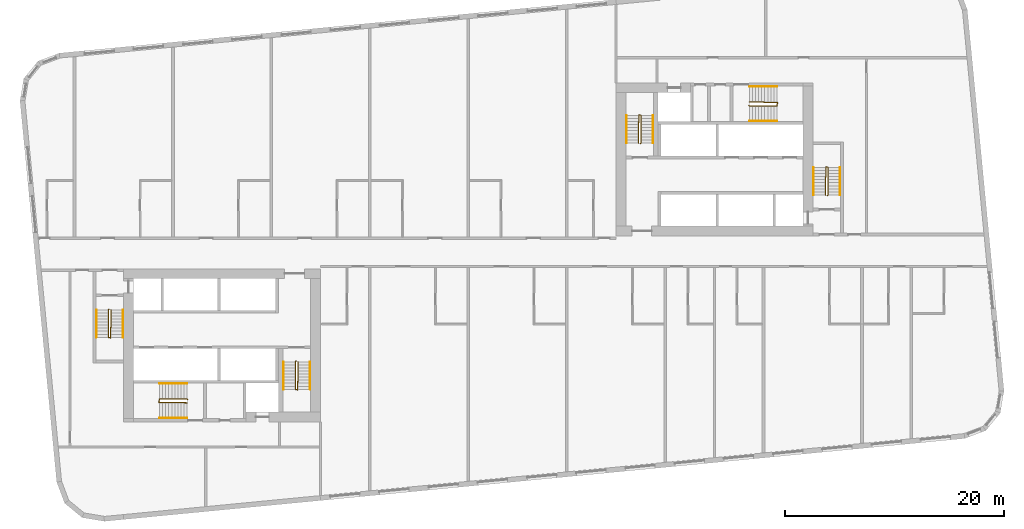
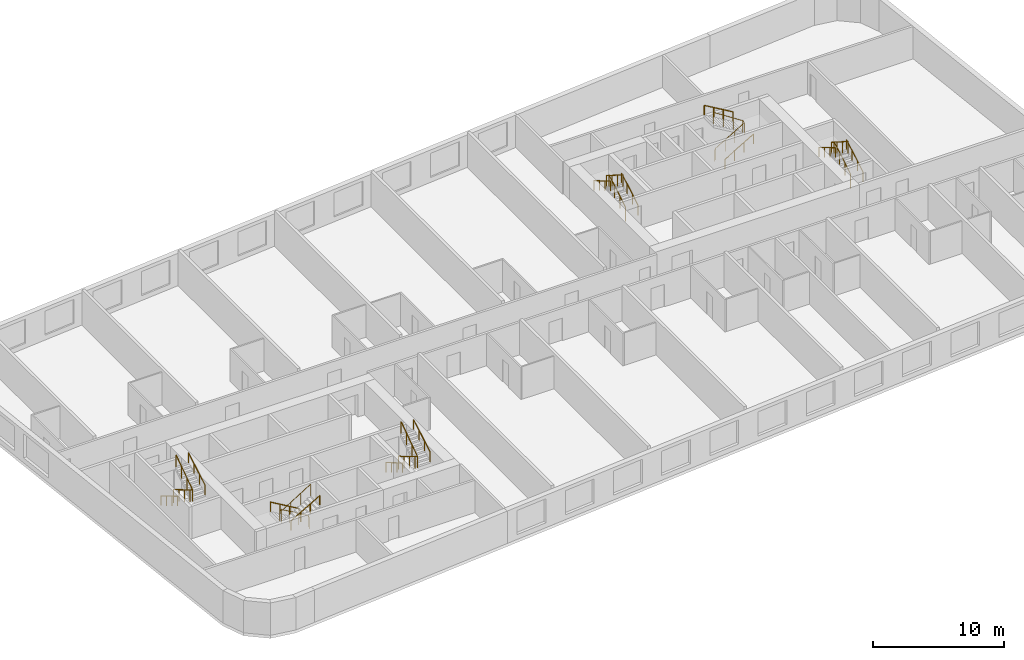
# One storey, part 12 of 12: 18 railings.
"""IFC4 building model written with IfcOpenShell, lengths in metres."""

from ifc_helpers import new_model, si_unit, direction, frame, origin, origin_2d, place, context, subcontext, project, spatial, circle, extrude, material, type_object, element, save


model = new_model("IFC4")

# Units and contexts
model_context = context("Model", 3, precision=1e-05, world=origin(), true_north=direction((0.0, 1.0)))
body_context = subcontext(model_context, "Body", "Model", "MODEL_VIEW")
ifc_project = project(units=[si_unit("LENGTHUNIT", "METRE"), si_unit("AREAUNIT", "SQUARE_METRE"), si_unit("VOLUMEUNIT", "CUBIC_METRE"), si_unit("PLANEANGLEUNIT", "RADIAN"), si_unit("MASSUNIT", "GRAM", prefix="KILO")], contexts=[model_context])

# Site, building, storey
site_placement = place(None, origin())
site = spatial("IfcSite", under=ifc_project, at=site_placement, CompositionType="ELEMENT")
building_placement = place(site_placement, origin())
building = spatial("IfcBuilding", under=site, at=building_placement, Name="Kajstack Hotel Tower", CompositionType="ELEMENT")
storey_placement = place(building_placement, frame((0.0, 0.0, 143.800048828125)))
storey = spatial("IfcBuildingStorey", under=building, at=storey_placement, Name="L33", CompositionType="ELEMENT", Elevation=143.800048828125)

# Railings
ifc_material = material(Name="Steel S355J2", Category="steel")
railing_type_1 = type_object("IfcRailingType", Name="Stair guard 1100", PredefinedType="GUARDRAIL", material=ifc_material)
railing_1_placement = place(storey_placement, frame((-32.85009765625, -5.199951171875, 0.0)))
element("IfcRailing", 1, at=railing_1_placement, inside=storey, type_object=railing_type_1, Name="L33 W1 stair guard 1", PredefinedType="GUARDRAIL", context=body_context, shape_type="SweptSolid", body=[
    extrude(circle(Radius=0.02392578125, at=origin_2d()), frame((0.0, 0.0, 1.076171875), z_axis=(-0.277450376394, -0.278810427259, 0.919394384522), x_axis=(0.708833529934, -0.705375805398, 0.0)), (0.0, 0.0, 1.0), 0.179443359375),
    extrude(circle(Radius=0.02392578125, at=origin_2d()), frame((-0.0498046875, -0.050048828125, 1.2412109375), z_axis=(0.0, -0.861560626758, 0.507654692109), x_axis=(1.0, 0.0, 0.0)), (0.0, 0.0, 1.0), 2.925048828125),
    extrude(circle(Radius=0.02392578125, at=origin_2d()), frame((-0.0498046875, -2.570068359375, 2.72607421875), z_axis=(0.970072785993, -0.242814311512, 0.0), x_axis=(0.242814311512, 0.970072785993, 0.0)), (0.0, 0.0, 1.0), 0.2060546875),
    extrude(circle(Radius=0.02392578125, at=origin_2d()), frame((0.150146484375, -2.6201171875, 2.72607421875), z_axis=(0.016384601254, 0.84136925563, 0.540212292087), x_axis=(-0.999810440751, 0.019470042781, 0.0)), (0.0, 0.0, 1.0), 3.0546875),
    extrude(circle(Radius=0.02099609375, at=origin_2d()), origin(), (0.0, 0.0, 1.0), 1.052001953125),
    extrude(circle(Radius=0.02099609375, at=origin_2d()), frame((-0.0498046875, -0.050048828125, 0.1650390625)), (0.0, 0.0, 1.0), 1.052001953125),
    extrude(circle(Radius=0.02099609375, at=origin_2d()), frame((-0.0498046875, -0.89013671875, 0.659912109375)), (0.0, 0.0, 1.0), 1.052001953125),
    extrude(circle(Radius=0.02099609375, at=origin_2d()), frame((-0.0498046875, -1.72998046875, 1.155029296875)), (0.0, 0.0, 1.0), 1.052001953125),
    extrude(circle(Radius=0.02099609375, at=origin_2d()), frame((-0.0498046875, -2.570068359375, 1.64990234375)), (0.0, 0.0, 1.0), 1.052001953125),
    extrude(circle(Radius=0.02099609375, at=origin_2d()), frame((0.150146484375, -2.6201171875, 1.64990234375)), (0.0, 0.0, 1.0), 1.052001953125),
    extrude(circle(Radius=0.02099609375, at=origin_2d()), frame((0.166748046875, -1.763427734375, 2.199951171875)), (0.0, 0.0, 1.0), 1.052001953125),
    extrude(circle(Radius=0.02099609375, at=origin_2d()), frame((0.18359375, -0.90673828125, 2.75)), (0.0, 0.0, 1.0), 1.052001953125),
    extrude(circle(Radius=0.02099609375, at=origin_2d()), frame((0.2001953125, -0.050048828125, 3.300048828125)), (0.0, 0.0, 1.0), 1.052001953125),
])
railing_2_placement = place(storey_placement, frame((-15.75, -9.949951171875, 0.0)))
element("IfcRailing", 2, at=railing_2_placement, inside=storey, type_object=railing_type_1, Name="L33 W2 stair guard 1", PredefinedType="GUARDRAIL", context=body_context, shape_type="SweptSolid", body=[
    extrude(circle(Radius=0.02392578125, at=origin_2d()), frame((0.0, 0.0, 1.076171875), z_axis=(-0.278705021027, -0.278705021027, 0.919046801044), x_axis=(0.707106781187, -0.707106781187, 0.0)), (0.0, 0.0, 1.0), 0.1796875),
    extrude(circle(Radius=0.02392578125, at=origin_2d()), frame((-0.050048828125, -0.050048828125, 1.2412109375), z_axis=(0.0, -0.861560626758, 0.507654692109), x_axis=(1.0, 0.0, 0.0)), (0.0, 0.0, 1.0), 2.925048828125),
    extrude(circle(Radius=0.02392578125, at=origin_2d()), frame((-0.050048828125, -2.570068359375, 2.72607421875), z_axis=(0.970072785993, -0.242814311512, 0.0), x_axis=(0.242814311512, 0.970072785993, 0.0)), (0.0, 0.0, 1.0), 0.2060546875),
    extrude(circle(Radius=0.02392578125, at=origin_2d()), frame((0.14990234375, -2.6201171875, 2.72607421875), z_axis=(0.016384601254, 0.84136925563, 0.540212292087), x_axis=(-0.999810440751, 0.019470042781, 0.0)), (0.0, 0.0, 1.0), 3.0546875),
    extrude(circle(Radius=0.02099609375, at=origin_2d()), origin(), (0.0, 0.0, 1.0), 1.052001953125),
    extrude(circle(Radius=0.02099609375, at=origin_2d()), frame((-0.050048828125, -0.050048828125, 0.1650390625)), (0.0, 0.0, 1.0), 1.052001953125),
    extrude(circle(Radius=0.02099609375, at=origin_2d()), frame((-0.050048828125, -0.89013671875, 0.659912109375)), (0.0, 0.0, 1.0), 1.052001953125),
    extrude(circle(Radius=0.02099609375, at=origin_2d()), frame((-0.050048828125, -1.72998046875, 1.155029296875)), (0.0, 0.0, 1.0), 1.052001953125),
    extrude(circle(Radius=0.02099609375, at=origin_2d()), frame((-0.050048828125, -2.570068359375, 1.64990234375)), (0.0, 0.0, 1.0), 1.052001953125),
    extrude(circle(Radius=0.02099609375, at=origin_2d()), frame((0.14990234375, -2.6201171875, 1.64990234375)), (0.0, 0.0, 1.0), 1.052001953125),
    extrude(circle(Radius=0.02099609375, at=origin_2d()), frame((0.16650390625, -1.763427734375, 2.199951171875)), (0.0, 0.0, 1.0), 1.052001953125),
    extrude(circle(Radius=0.02099609375, at=origin_2d()), frame((0.183349609375, -0.90673828125, 2.75)), (0.0, 0.0, 1.0), 1.052001953125),
    extrude(circle(Radius=0.02099609375, at=origin_2d()), frame((0.199951171875, -0.050048828125, 3.300048828125)), (0.0, 0.0, 1.0), 1.052001953125),
])
railing_3_placement = place(storey_placement, frame((-25.64990234375, -13.449951171875, 0.0)))
element("IfcRailing", 3, at=railing_3_placement, inside=storey, type_object=railing_type_1, Name="L33 W3 stair guard 1", PredefinedType="GUARDRAIL", context=body_context, shape_type="SweptSolid", body=[
    extrude(circle(Radius=0.02392578125, at=origin_2d()), frame((0.0, 0.0, 1.076171875), z_axis=(-0.278705021027, 0.278705021027, 0.919046801044), x_axis=(-0.707106781187, -0.707106781187, 0.0)), (0.0, 0.0, 1.0), 0.1796875),
    extrude(circle(Radius=0.02392578125, at=origin_2d()), frame((-0.050048828125, 0.050048828125, 1.2412109375), z_axis=(-0.861560626758, 0.0, 0.507654692109), x_axis=(0.0, -1.0, 0.0)), (0.0, 0.0, 1.0), 2.925048828125),
    extrude(circle(Radius=0.02392578125, at=origin_2d()), frame((-2.570068359375, 0.050048828125, 2.72607421875), z_axis=(-0.164529134168, -0.986372223864, 0.0), x_axis=(0.986372223864, -0.164529134168, 0.0)), (0.0, 0.0, 1.0), 0.30419921875),
    extrude(circle(Radius=0.02392578125, at=origin_2d()), frame((-2.6201171875, -0.25, 2.72607421875), z_axis=(0.84136925563, -0.016384601254, 0.540212292087), x_axis=(0.019470042781, 0.999810440751, 0.0)), (0.0, 0.0, 1.0), 3.0546875),
    extrude(circle(Radius=0.02099609375, at=origin_2d()), origin(), (0.0, 0.0, 1.0), 1.052001953125),
    extrude(circle(Radius=0.02099609375, at=origin_2d()), frame((-0.050048828125, 0.050048828125, 0.1650390625)), (0.0, 0.0, 1.0), 1.052001953125),
    extrude(circle(Radius=0.02099609375, at=origin_2d()), frame((-0.89013671875, 0.050048828125, 0.659912109375)), (0.0, 0.0, 1.0), 1.052001953125),
    extrude(circle(Radius=0.02099609375, at=origin_2d()), frame((-1.72998046875, 0.050048828125, 1.155029296875)), (0.0, 0.0, 1.0), 1.052001953125),
    extrude(circle(Radius=0.02099609375, at=origin_2d()), frame((-2.570068359375, 0.050048828125, 1.64990234375)), (0.0, 0.0, 1.0), 1.052001953125),
    extrude(circle(Radius=0.02099609375, at=origin_2d()), frame((-2.6201171875, -0.25, 1.64990234375)), (0.0, 0.0, 1.0), 1.052001953125),
    extrude(circle(Radius=0.02099609375, at=origin_2d()), frame((-1.763427734375, -0.2666015625, 2.199951171875)), (0.0, 0.0, 1.0), 1.052001953125),
    extrude(circle(Radius=0.02099609375, at=origin_2d()), frame((-0.90673828125, -0.283447265625, 2.75)), (0.0, 0.0, 1.0), 1.052001953125),
    extrude(circle(Radius=0.02099609375, at=origin_2d()), frame((-0.050048828125, -0.300048828125, 3.300048828125)), (0.0, 0.0, 1.0), 1.052001953125),
])
railing_4_placement = place(storey_placement, frame((32.85009765625, 5.199951171875, 0.0)))
element("IfcRailing", 4, at=railing_4_placement, inside=storey, type_object=railing_type_1, Name="L33 E1 stair guard 1", PredefinedType="GUARDRAIL", context=body_context, shape_type="SweptSolid", body=[
    extrude(circle(Radius=0.02392578125, at=origin_2d()), frame((0.0, 0.0, 1.076171875), z_axis=(0.277450376394, 0.278810427259, 0.919394384522), x_axis=(-0.708833529934, 0.705375805398, 0.0)), (0.0, 0.0, 1.0), 0.179443359375),
    extrude(circle(Radius=0.02392578125, at=origin_2d()), frame((0.0498046875, 0.050048828125, 1.2412109375), z_axis=(0.0, 0.861560626758, 0.507654692109), x_axis=(-1.0, 0.0, 0.0)), (0.0, 0.0, 1.0), 2.925048828125),
    extrude(circle(Radius=0.02392578125, at=origin_2d()), frame((0.0498046875, 2.570068359375, 2.72607421875), z_axis=(-0.970072785993, 0.242814311512, 0.0), x_axis=(-0.242814311512, -0.970072785993, 0.0)), (0.0, 0.0, 1.0), 0.2060546875),
    extrude(circle(Radius=0.02392578125, at=origin_2d()), frame((-0.150146484375, 2.6201171875, 2.72607421875), z_axis=(-0.016384601254, -0.84136925563, 0.540212292087), x_axis=(0.999810440751, -0.019470042781, 0.0)), (0.0, 0.0, 1.0), 3.0546875),
    extrude(circle(Radius=0.02099609375, at=origin_2d()), origin(), (0.0, 0.0, 1.0), 1.052001953125),
    extrude(circle(Radius=0.02099609375, at=origin_2d()), frame((0.0498046875, 0.050048828125, 0.1650390625)), (0.0, 0.0, 1.0), 1.052001953125),
    extrude(circle(Radius=0.02099609375, at=origin_2d()), frame((0.0498046875, 0.89013671875, 0.659912109375)), (0.0, 0.0, 1.0), 1.052001953125),
    extrude(circle(Radius=0.02099609375, at=origin_2d()), frame((0.0498046875, 1.72998046875, 1.155029296875)), (0.0, 0.0, 1.0), 1.052001953125),
    extrude(circle(Radius=0.02099609375, at=origin_2d()), frame((0.0498046875, 2.570068359375, 1.64990234375)), (0.0, 0.0, 1.0), 1.052001953125),
    extrude(circle(Radius=0.02099609375, at=origin_2d()), frame((-0.150146484375, 2.6201171875, 1.64990234375)), (0.0, 0.0, 1.0), 1.052001953125),
    extrude(circle(Radius=0.02099609375, at=origin_2d()), frame((-0.166748046875, 1.763427734375, 2.199951171875)), (0.0, 0.0, 1.0), 1.052001953125),
    extrude(circle(Radius=0.02099609375, at=origin_2d()), frame((-0.18359375, 0.90673828125, 2.75)), (0.0, 0.0, 1.0), 1.052001953125),
    extrude(circle(Radius=0.02099609375, at=origin_2d()), frame((-0.2001953125, 0.050048828125, 3.300048828125)), (0.0, 0.0, 1.0), 1.052001953125),
])
railing_5_placement = place(storey_placement, frame((15.75, 9.949951171875, 0.0)))
element("IfcRailing", 5, at=railing_5_placement, inside=storey, type_object=railing_type_1, Name="L33 E2 stair guard 1", PredefinedType="GUARDRAIL", context=body_context, shape_type="SweptSolid", body=[
    extrude(circle(Radius=0.02392578125, at=origin_2d()), frame((0.0, 0.0, 1.076171875), z_axis=(0.278705021027, 0.278705021027, 0.919046801044), x_axis=(-0.707106781187, 0.707106781187, 0.0)), (0.0, 0.0, 1.0), 0.1796875),
    extrude(circle(Radius=0.02392578125, at=origin_2d()), frame((0.050048828125, 0.050048828125, 1.2412109375), z_axis=(0.0, 0.861560626758, 0.507654692109), x_axis=(-1.0, 0.0, 0.0)), (0.0, 0.0, 1.0), 2.925048828125),
    extrude(circle(Radius=0.02392578125, at=origin_2d()), frame((0.050048828125, 2.570068359375, 2.72607421875), z_axis=(-0.970072785993, 0.242814311512, 0.0), x_axis=(-0.242814311512, -0.970072785993, 0.0)), (0.0, 0.0, 1.0), 0.2060546875),
    extrude(circle(Radius=0.02392578125, at=origin_2d()), frame((-0.14990234375, 2.6201171875, 2.72607421875), z_axis=(-0.016384601254, -0.84136925563, 0.540212292087), x_axis=(0.999810440751, -0.019470042781, 0.0)), (0.0, 0.0, 1.0), 3.0546875),
    extrude(circle(Radius=0.02099609375, at=origin_2d()), origin(), (0.0, 0.0, 1.0), 1.052001953125),
    extrude(circle(Radius=0.02099609375, at=origin_2d()), frame((0.050048828125, 0.050048828125, 0.1650390625)), (0.0, 0.0, 1.0), 1.052001953125),
    extrude(circle(Radius=0.02099609375, at=origin_2d()), frame((0.050048828125, 0.89013671875, 0.659912109375)), (0.0, 0.0, 1.0), 1.052001953125),
    extrude(circle(Radius=0.02099609375, at=origin_2d()), frame((0.050048828125, 1.72998046875, 1.155029296875)), (0.0, 0.0, 1.0), 1.052001953125),
    extrude(circle(Radius=0.02099609375, at=origin_2d()), frame((0.050048828125, 2.570068359375, 1.64990234375)), (0.0, 0.0, 1.0), 1.052001953125),
    extrude(circle(Radius=0.02099609375, at=origin_2d()), frame((-0.14990234375, 2.6201171875, 1.64990234375)), (0.0, 0.0, 1.0), 1.052001953125),
    extrude(circle(Radius=0.02099609375, at=origin_2d()), frame((-0.16650390625, 1.763427734375, 2.199951171875)), (0.0, 0.0, 1.0), 1.052001953125),
    extrude(circle(Radius=0.02099609375, at=origin_2d()), frame((-0.183349609375, 0.90673828125, 2.75)), (0.0, 0.0, 1.0), 1.052001953125),
    extrude(circle(Radius=0.02099609375, at=origin_2d()), frame((-0.199951171875, 0.050048828125, 3.300048828125)), (0.0, 0.0, 1.0), 1.052001953125),
])
railing_6_placement = place(storey_placement, frame((25.64990234375, 13.449951171875, 0.0)))
element("IfcRailing", 6, at=railing_6_placement, inside=storey, type_object=railing_type_1, Name="L33 E3 stair guard 1", PredefinedType="GUARDRAIL", context=body_context, shape_type="SweptSolid", body=[
    extrude(circle(Radius=0.02392578125, at=origin_2d()), frame((0.0, 0.0, 1.076171875), z_axis=(0.278705021027, -0.278705021027, 0.919046801044), x_axis=(0.707106781187, 0.707106781187, 0.0)), (0.0, 0.0, 1.0), 0.1796875),
    extrude(circle(Radius=0.02392578125, at=origin_2d()), frame((0.050048828125, -0.050048828125, 1.2412109375), z_axis=(0.861560626758, 0.0, 0.507654692109), x_axis=(0.0, 1.0, 0.0)), (0.0, 0.0, 1.0), 2.925048828125),
    extrude(circle(Radius=0.02392578125, at=origin_2d()), frame((2.570068359375, -0.050048828125, 2.72607421875), z_axis=(0.164529134168, 0.986372223864, 0.0), x_axis=(-0.986372223864, 0.164529134168, 0.0)), (0.0, 0.0, 1.0), 0.30419921875),
    extrude(circle(Radius=0.02392578125, at=origin_2d()), frame((2.6201171875, 0.25, 2.72607421875), z_axis=(-0.84136925563, 0.016384601254, 0.540212292087), x_axis=(-0.019470042781, -0.999810440751, 0.0)), (0.0, 0.0, 1.0), 3.0546875),
    extrude(circle(Radius=0.02099609375, at=origin_2d()), origin(), (0.0, 0.0, 1.0), 1.052001953125),
    extrude(circle(Radius=0.02099609375, at=origin_2d()), frame((0.050048828125, -0.050048828125, 0.1650390625)), (0.0, 0.0, 1.0), 1.052001953125),
    extrude(circle(Radius=0.02099609375, at=origin_2d()), frame((0.89013671875, -0.050048828125, 0.659912109375)), (0.0, 0.0, 1.0), 1.052001953125),
    extrude(circle(Radius=0.02099609375, at=origin_2d()), frame((1.72998046875, -0.050048828125, 1.155029296875)), (0.0, 0.0, 1.0), 1.052001953125),
    extrude(circle(Radius=0.02099609375, at=origin_2d()), frame((2.570068359375, -0.050048828125, 1.64990234375)), (0.0, 0.0, 1.0), 1.052001953125),
    extrude(circle(Radius=0.02099609375, at=origin_2d()), frame((2.6201171875, 0.25, 1.64990234375)), (0.0, 0.0, 1.0), 1.052001953125),
    extrude(circle(Radius=0.02099609375, at=origin_2d()), frame((1.763427734375, 0.2666015625, 2.199951171875)), (0.0, 0.0, 1.0), 1.052001953125),
    extrude(circle(Radius=0.02099609375, at=origin_2d()), frame((0.90673828125, 0.283447265625, 2.75)), (0.0, 0.0, 1.0), 1.052001953125),
    extrude(circle(Radius=0.02099609375, at=origin_2d()), frame((0.050048828125, 0.300048828125, 3.300048828125)), (0.0, 0.0, 1.0), 1.052001953125),
])
railing_type_2 = type_object("IfcRailingType", Name="Stair handrail 900", PredefinedType="HANDRAIL", material=ifc_material)
railing_7_placement = place(storey_placement, frame((-34.0, -5.25, 0.1650390625)))
element("IfcRailing", 7, at=railing_7_placement, inside=storey, type_object=railing_type_2, Name="L33 W1 stair handrail 1", PredefinedType="HANDRAIL", context=body_context, shape_type="SweptSolid", body=[
    extrude(circle(Radius=0.02392578125, at=origin_2d()), frame((0.0, 0.0, 0.8759765625), z_axis=(0.0, -0.861560626758, 0.507654692109), x_axis=(1.0, 0.0, 0.0)), (0.0, 0.0, 1.0), 2.925048828125),
    extrude(circle(Radius=0.02099609375, at=origin_2d()), origin(), (0.0, 0.0, 1.0), 0.851806640625),
    extrude(circle(Radius=0.02099609375, at=origin_2d()), frame((0.0, -0.840087890625, 0.494873046875)), (0.0, 0.0, 1.0), 0.851806640625),
    extrude(circle(Radius=0.02099609375, at=origin_2d()), frame((0.0, -1.679931640625, 0.989990234375)), (0.0, 0.0, 1.0), 0.851806640625),
    extrude(circle(Radius=0.02099609375, at=origin_2d()), frame((0.0, -2.52001953125, 1.48486328125)), (0.0, 0.0, 1.0), 0.851806640625),
])
railing_8_placement = place(storey_placement, frame((-31.550048828125, -7.77001953125, 1.81494140625)))
element("IfcRailing", 8, at=railing_8_placement, inside=storey, type_object=railing_type_2, Name="L33 W1 stair handrail 2", PredefinedType="HANDRAIL", context=body_context, shape_type="SweptSolid", body=[
    extrude(circle(Radius=0.02392578125, at=origin_2d()), frame((0.0, 0.0, 0.8759765625), z_axis=(0.0, 0.86152411907, 0.507716645641), x_axis=(-1.0, 0.0, 0.0)), (0.0, 0.0, 1.0), 2.925048828125),
    extrude(circle(Radius=0.02099609375, at=origin_2d()), origin(), (0.0, 0.0, 1.0), 0.851806640625),
    extrude(circle(Radius=0.02099609375, at=origin_2d()), frame((0.0, 0.840087890625, 0.4951171875)), (0.0, 0.0, 1.0), 0.851806640625),
    extrude(circle(Radius=0.02099609375, at=origin_2d()), frame((0.0, 1.679931640625, 0.989990234375)), (0.0, 0.0, 1.0), 0.851806640625),
    extrude(circle(Radius=0.02099609375, at=origin_2d()), frame((0.0, 2.52001953125, 1.485107421875)), (0.0, 0.0, 1.0), 0.851806640625),
])
railing_9_placement = place(storey_placement, frame((-16.89990234375, -10.0, 0.1650390625)))
element("IfcRailing", 9, at=railing_9_placement, inside=storey, type_object=railing_type_2, Name="L33 W2 stair handrail 1", PredefinedType="HANDRAIL", context=body_context, shape_type="SweptSolid", body=[
    extrude(circle(Radius=0.02392578125, at=origin_2d()), frame((0.0, 0.0, 0.8759765625), z_axis=(0.0, -0.861560626758, 0.507654692109), x_axis=(1.0, 0.0, 0.0)), (0.0, 0.0, 1.0), 2.925048828125),
    extrude(circle(Radius=0.02099609375, at=origin_2d()), origin(), (0.0, 0.0, 1.0), 0.851806640625),
    extrude(circle(Radius=0.02099609375, at=origin_2d()), frame((0.0, -0.840087890625, 0.494873046875)), (0.0, 0.0, 1.0), 0.851806640625),
    extrude(circle(Radius=0.02099609375, at=origin_2d()), frame((0.0, -1.679931640625, 0.989990234375)), (0.0, 0.0, 1.0), 0.851806640625),
    extrude(circle(Radius=0.02099609375, at=origin_2d()), frame((0.0, -2.52001953125, 1.48486328125)), (0.0, 0.0, 1.0), 0.851806640625),
])
railing_10_placement = place(storey_placement, frame((-14.449951171875, -12.52001953125, 1.81494140625)))
element("IfcRailing", 10, at=railing_10_placement, inside=storey, type_object=railing_type_2, Name="L33 W2 stair handrail 2", PredefinedType="HANDRAIL", context=body_context, shape_type="SweptSolid", body=[
    extrude(circle(Radius=0.02392578125, at=origin_2d()), frame((0.0, 0.0, 0.8759765625), z_axis=(0.0, 0.86152411907, 0.507716645641), x_axis=(-1.0, 0.0, 0.0)), (0.0, 0.0, 1.0), 2.925048828125),
    extrude(circle(Radius=0.02099609375, at=origin_2d()), origin(), (0.0, 0.0, 1.0), 0.851806640625),
    extrude(circle(Radius=0.02099609375, at=origin_2d()), frame((0.0, 0.840087890625, 0.4951171875)), (0.0, 0.0, 1.0), 0.851806640625),
    extrude(circle(Radius=0.02099609375, at=origin_2d()), frame((0.0, 1.679931640625, 0.989990234375)), (0.0, 0.0, 1.0), 0.851806640625),
    extrude(circle(Radius=0.02099609375, at=origin_2d()), frame((0.0, 2.52001953125, 1.485107421875)), (0.0, 0.0, 1.0), 0.851806640625),
])
railing_11_placement = place(storey_placement, frame((-25.699951171875, -12.0, 0.1650390625)))
element("IfcRailing", 11, at=railing_11_placement, inside=storey, type_object=railing_type_2, Name="L33 W3 stair handrail 1", PredefinedType="HANDRAIL", context=body_context, shape_type="SweptSolid", body=[
    extrude(circle(Radius=0.02392578125, at=origin_2d()), frame((0.0, 0.0, 0.8759765625), z_axis=(-0.861560626758, 0.0, 0.507654692109), x_axis=(0.0, -1.0, 0.0)), (0.0, 0.0, 1.0), 2.925048828125),
    extrude(circle(Radius=0.02099609375, at=origin_2d()), origin(), (0.0, 0.0, 1.0), 0.851806640625),
    extrude(circle(Radius=0.02099609375, at=origin_2d()), frame((-0.840087890625, 0.0, 0.494873046875)), (0.0, 0.0, 1.0), 0.851806640625),
    extrude(circle(Radius=0.02099609375, at=origin_2d()), frame((-1.679931640625, 0.0, 0.989990234375)), (0.0, 0.0, 1.0), 0.851806640625),
    extrude(circle(Radius=0.02099609375, at=origin_2d()), frame((-2.52001953125, 0.0, 1.48486328125)), (0.0, 0.0, 1.0), 0.851806640625),
])
railing_12_placement = place(storey_placement, frame((-28.219970703125, -15.14990234375, 1.81494140625)))
element("IfcRailing", 12, at=railing_12_placement, inside=storey, type_object=railing_type_2, Name="L33 W3 stair handrail 2", PredefinedType="HANDRAIL", context=body_context, shape_type="SweptSolid", body=[
    extrude(circle(Radius=0.02392578125, at=origin_2d()), frame((0.0, 0.0, 0.8759765625), z_axis=(0.86152411907, 0.0, 0.507716645641), x_axis=(0.0, 1.0, 0.0)), (0.0, 0.0, 1.0), 2.925048828125),
    extrude(circle(Radius=0.02099609375, at=origin_2d()), origin(), (0.0, 0.0, 1.0), 0.851806640625),
    extrude(circle(Radius=0.02099609375, at=origin_2d()), frame((0.840087890625, 0.0, 0.4951171875)), (0.0, 0.0, 1.0), 0.851806640625),
    extrude(circle(Radius=0.02099609375, at=origin_2d()), frame((1.679931640625, 0.0, 0.989990234375)), (0.0, 0.0, 1.0), 0.851806640625),
    extrude(circle(Radius=0.02099609375, at=origin_2d()), frame((2.52001953125, 0.0, 1.485107421875)), (0.0, 0.0, 1.0), 0.851806640625),
])
railing_13_placement = place(storey_placement, frame((34.0, 5.25, 0.1650390625)))
element("IfcRailing", 13, at=railing_13_placement, inside=storey, type_object=railing_type_2, Name="L33 E1 stair handrail 1", PredefinedType="HANDRAIL", context=body_context, shape_type="SweptSolid", body=[
    extrude(circle(Radius=0.02392578125, at=origin_2d()), frame((0.0, 0.0, 0.8759765625), z_axis=(0.0, 0.861560626758, 0.507654692109), x_axis=(-1.0, 0.0, 0.0)), (0.0, 0.0, 1.0), 2.925048828125),
    extrude(circle(Radius=0.02099609375, at=origin_2d()), origin(), (0.0, 0.0, 1.0), 0.851806640625),
    extrude(circle(Radius=0.02099609375, at=origin_2d()), frame((0.0, 0.840087890625, 0.494873046875)), (0.0, 0.0, 1.0), 0.851806640625),
    extrude(circle(Radius=0.02099609375, at=origin_2d()), frame((0.0, 1.679931640625, 0.989990234375)), (0.0, 0.0, 1.0), 0.851806640625),
    extrude(circle(Radius=0.02099609375, at=origin_2d()), frame((0.0, 2.52001953125, 1.48486328125)), (0.0, 0.0, 1.0), 0.851806640625),
])
railing_14_placement = place(storey_placement, frame((31.550048828125, 7.77001953125, 1.81494140625)))
element("IfcRailing", 14, at=railing_14_placement, inside=storey, type_object=railing_type_2, Name="L33 E1 stair handrail 2", PredefinedType="HANDRAIL", context=body_context, shape_type="SweptSolid", body=[
    extrude(circle(Radius=0.02392578125, at=origin_2d()), frame((0.0, 0.0, 0.8759765625), z_axis=(0.0, -0.86152411907, 0.507716645641), x_axis=(1.0, 0.0, 0.0)), (0.0, 0.0, 1.0), 2.925048828125),
    extrude(circle(Radius=0.02099609375, at=origin_2d()), origin(), (0.0, 0.0, 1.0), 0.851806640625),
    extrude(circle(Radius=0.02099609375, at=origin_2d()), frame((0.0, -0.840087890625, 0.4951171875)), (0.0, 0.0, 1.0), 0.851806640625),
    extrude(circle(Radius=0.02099609375, at=origin_2d()), frame((0.0, -1.679931640625, 0.989990234375)), (0.0, 0.0, 1.0), 0.851806640625),
    extrude(circle(Radius=0.02099609375, at=origin_2d()), frame((0.0, -2.52001953125, 1.485107421875)), (0.0, 0.0, 1.0), 0.851806640625),
])
railing_15_placement = place(storey_placement, frame((16.89990234375, 10.0, 0.1650390625)))
element("IfcRailing", 15, at=railing_15_placement, inside=storey, type_object=railing_type_2, Name="L33 E2 stair handrail 1", PredefinedType="HANDRAIL", context=body_context, shape_type="SweptSolid", body=[
    extrude(circle(Radius=0.02392578125, at=origin_2d()), frame((0.0, 0.0, 0.8759765625), z_axis=(0.0, 0.861560626758, 0.507654692109), x_axis=(-1.0, 0.0, 0.0)), (0.0, 0.0, 1.0), 2.925048828125),
    extrude(circle(Radius=0.02099609375, at=origin_2d()), origin(), (0.0, 0.0, 1.0), 0.851806640625),
    extrude(circle(Radius=0.02099609375, at=origin_2d()), frame((0.0, 0.840087890625, 0.494873046875)), (0.0, 0.0, 1.0), 0.851806640625),
    extrude(circle(Radius=0.02099609375, at=origin_2d()), frame((0.0, 1.679931640625, 0.989990234375)), (0.0, 0.0, 1.0), 0.851806640625),
    extrude(circle(Radius=0.02099609375, at=origin_2d()), frame((0.0, 2.52001953125, 1.48486328125)), (0.0, 0.0, 1.0), 0.851806640625),
])
railing_16_placement = place(storey_placement, frame((14.449951171875, 12.52001953125, 1.81494140625)))
element("IfcRailing", 16, at=railing_16_placement, inside=storey, type_object=railing_type_2, Name="L33 E2 stair handrail 2", PredefinedType="HANDRAIL", context=body_context, shape_type="SweptSolid", body=[
    extrude(circle(Radius=0.02392578125, at=origin_2d()), frame((0.0, 0.0, 0.8759765625), z_axis=(0.0, -0.86152411907, 0.507716645641), x_axis=(1.0, 0.0, 0.0)), (0.0, 0.0, 1.0), 2.925048828125),
    extrude(circle(Radius=0.02099609375, at=origin_2d()), origin(), (0.0, 0.0, 1.0), 0.851806640625),
    extrude(circle(Radius=0.02099609375, at=origin_2d()), frame((0.0, -0.840087890625, 0.4951171875)), (0.0, 0.0, 1.0), 0.851806640625),
    extrude(circle(Radius=0.02099609375, at=origin_2d()), frame((0.0, -1.679931640625, 0.989990234375)), (0.0, 0.0, 1.0), 0.851806640625),
    extrude(circle(Radius=0.02099609375, at=origin_2d()), frame((0.0, -2.52001953125, 1.485107421875)), (0.0, 0.0, 1.0), 0.851806640625),
])
railing_17_placement = place(storey_placement, frame((25.699951171875, 12.0, 0.1650390625)))
element("IfcRailing", 17, at=railing_17_placement, inside=storey, type_object=railing_type_2, Name="L33 E3 stair handrail 1", PredefinedType="HANDRAIL", context=body_context, shape_type="SweptSolid", body=[
    extrude(circle(Radius=0.02392578125, at=origin_2d()), frame((0.0, 0.0, 0.8759765625), z_axis=(0.861560626758, 0.0, 0.507654692109), x_axis=(0.0, 1.0, 0.0)), (0.0, 0.0, 1.0), 2.925048828125),
    extrude(circle(Radius=0.02099609375, at=origin_2d()), origin(), (0.0, 0.0, 1.0), 0.851806640625),
    extrude(circle(Radius=0.02099609375, at=origin_2d()), frame((0.840087890625, 0.0, 0.494873046875)), (0.0, 0.0, 1.0), 0.851806640625),
    extrude(circle(Radius=0.02099609375, at=origin_2d()), frame((1.679931640625, 0.0, 0.989990234375)), (0.0, 0.0, 1.0), 0.851806640625),
    extrude(circle(Radius=0.02099609375, at=origin_2d()), frame((2.52001953125, 0.0, 1.48486328125)), (0.0, 0.0, 1.0), 0.851806640625),
])
railing_18_placement = place(storey_placement, frame((28.219970703125, 15.14990234375, 1.81494140625)))
element("IfcRailing", 18, at=railing_18_placement, inside=storey, type_object=railing_type_2, Name="L33 E3 stair handrail 2", PredefinedType="HANDRAIL", context=body_context, shape_type="SweptSolid", body=[
    extrude(circle(Radius=0.02392578125, at=origin_2d()), frame((0.0, 0.0, 0.8759765625), z_axis=(-0.86152411907, 0.0, 0.507716645641), x_axis=(0.0, -1.0, 0.0)), (0.0, 0.0, 1.0), 2.925048828125),
    extrude(circle(Radius=0.02099609375, at=origin_2d()), origin(), (0.0, 0.0, 1.0), 0.851806640625),
    extrude(circle(Radius=0.02099609375, at=origin_2d()), frame((-0.840087890625, 0.0, 0.4951171875)), (0.0, 0.0, 1.0), 0.851806640625),
    extrude(circle(Radius=0.02099609375, at=origin_2d()), frame((-1.679931640625, 0.0, 0.989990234375)), (0.0, 0.0, 1.0), 0.851806640625),
    extrude(circle(Radius=0.02099609375, at=origin_2d()), frame((-2.52001953125, 0.0, 1.485107421875)), (0.0, 0.0, 1.0), 0.851806640625),
])

save(model, "model.ifc")
